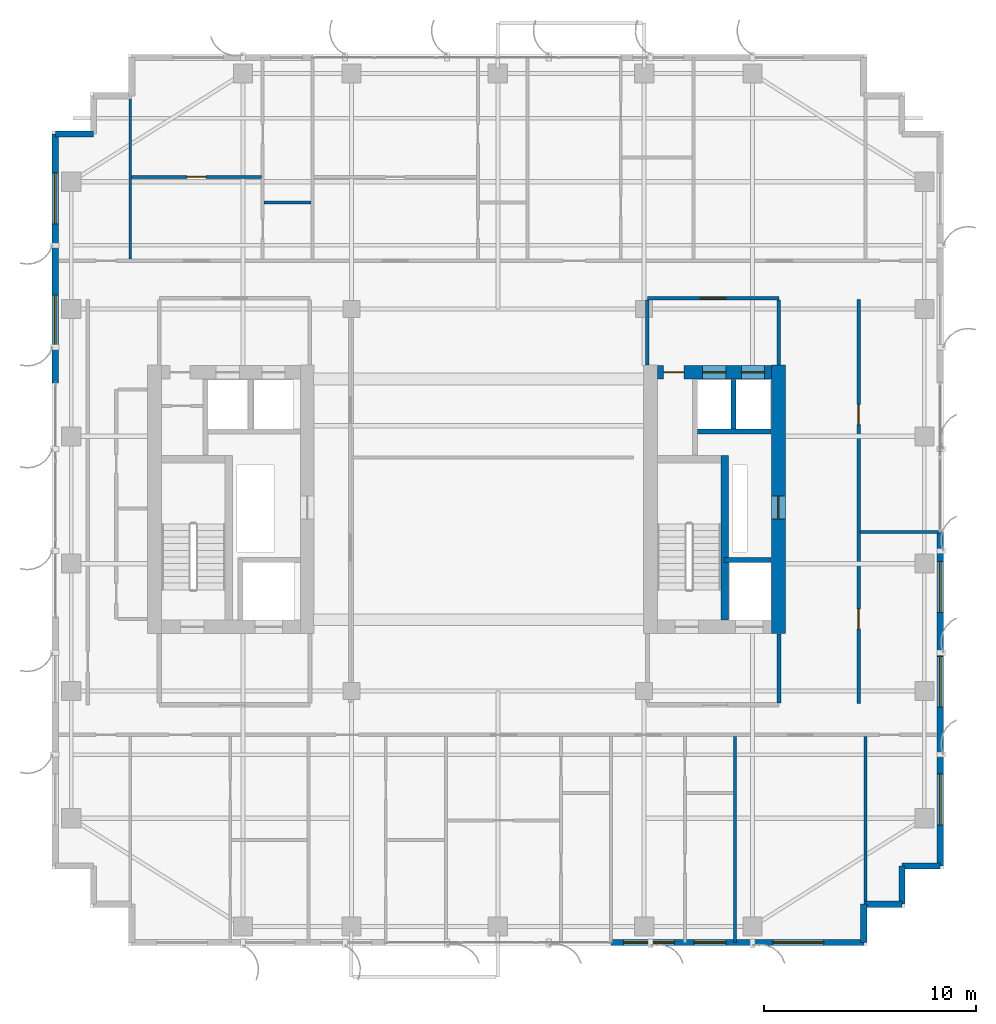
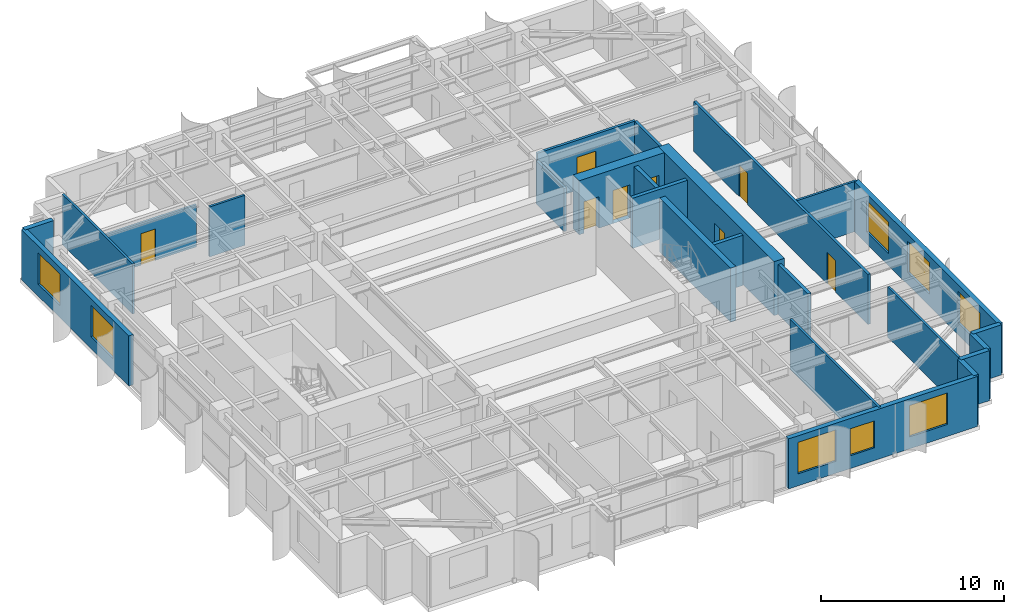
# One storey, part 18 of 23: 25 walls, 8 doors, 8 windows, 16 openings.
"""IFC4 building model written with IfcOpenShell, lengths in metres."""

import ifcopenshell
import ifcopenshell.guid

model = None  # the IFC model being written
_history = None  # IfcOwnerHistory: only IFC2X3 demands one
_inside = {}  # id of a spatial element -> (the spatial element, [elements in it])
_under = {}  # id of a project, library or spatial element -> (it, [spatial elements below it])
_declared = {}  # id of a project -> (the project, [libraries it declares])
_typed = {}  # id of a type object -> (the type object, [elements of that type])
_made_of = {}  # id of a material, layer set ... -> (it, [elements and type objects made of it])


def new_model(schema):
    """Start an empty IFC model of exactly this schema.

    Asked for "IFC4X3", IfcOpenShell would pick the latest addendum, in which some entities
    have other attributes; the version numbers below select the first issue.
    IFC2X3 requires an IfcOwnerHistory on every rooted entity: one is made here for all.
    """
    global model, _history
    if schema == "IFC4X3":
        model = ifcopenshell.file(schema_version=(4, 3, 0, 0))
    else:
        model = ifcopenshell.file(schema=schema)
    _inside.clear()
    _under.clear()
    _declared.clear()
    _typed.clear()
    _made_of.clear()
    _history = None
    if model.schema == "IFC2X3":
        org = make("IfcOrganization", Name="unknown")
        user = make(
            "IfcPersonAndOrganization",
            ThePerson=make("IfcPerson", FamilyName="unknown"),
            TheOrganization=org,
        )
        app = make(
            "IfcApplication",
            ApplicationDeveloper=org,
            Version="unknown",
            ApplicationFullName="unknown",
            ApplicationIdentifier="unknown",
        )
        _history = make(
            "IfcOwnerHistory",
            OwningUser=user,
            OwningApplication=app,
            ChangeAction="ADDED",
            CreationDate=0,
        )
    return model


def make(cls, **values):
    """One entity of the class cls with the attributes given. An attribute that is None is left unset."""
    return model.create_entity(
        cls, **{name: value for name, value in values.items() if value is not None}
    )


def rooted(cls, **values):
    """An entity with a GlobalId (a new one), such as an element, a storey or a relation."""
    return make(cls, GlobalId=ifcopenshell.guid.new(), OwnerHistory=_history, **values)


def si_unit(unit_type, name, prefix=None):
    """IfcSIUnit, for example si_unit("LENGTHUNIT", "METRE", prefix="MILLI")."""
    return make("IfcSIUnit", UnitType=unit_type, Prefix=prefix, Name=name)


def assignment(units):
    """IfcUnitAssignment: the units of a project."""
    return None if units is None else make("IfcUnitAssignment", Units=units)


def point(xyz):
    """IfcCartesianPoint."""
    return None if xyz is None else make("IfcCartesianPoint", Coordinates=xyz)


def direction(xyz):
    """IfcDirection."""
    return None if xyz is None else make("IfcDirection", DirectionRatios=xyz)


def frame(location, z_axis=None, x_axis=None):
    """IfcAxis2Placement3D, a coordinate frame: its origin and axes. An axis left out is left unset."""
    return make(
        "IfcAxis2Placement3D",
        Location=point(location),
        Axis=direction(z_axis),
        RefDirection=direction(x_axis),
    )


def frame_2d(location, x_axis=None):
    """IfcAxis2Placement2D, a coordinate frame in the plane: its origin and x axis."""
    return make(
        "IfcAxis2Placement2D", Location=point(location), RefDirection=direction(x_axis)
    )


def origin():
    """The frame at (0, 0, 0) with its axes left unset."""
    return frame((0.0, 0.0, 0.0))


def place(relative_to, where):
    """IfcLocalPlacement: puts the frame where relative to a parent placement (None: the world)."""
    return make(
        "IfcLocalPlacement", PlacementRelTo=relative_to, RelativePlacement=where
    )


def context(
    kind, dimensions, precision=None, world=None, true_north=None, identifier=None
):
    """IfcGeometricRepresentationContext, for example the 3D "Model" context."""
    return make(
        "IfcGeometricRepresentationContext",
        ContextIdentifier=identifier,
        ContextType=kind,
        CoordinateSpaceDimension=dimensions,
        Precision=precision,
        WorldCoordinateSystem=world,
        TrueNorth=true_north,
    )


def subcontext(parent, identifier, kind, view, scale=None):
    """IfcGeometricRepresentationSubContext, for example "Body" below "Model"."""
    return make(
        "IfcGeometricRepresentationSubContext",
        ContextIdentifier=identifier,
        ContextType=kind,
        ParentContext=parent,
        TargetScale=scale,
        TargetView=view,
    )


def project(units=None, contexts=None):
    """IfcProject with its units and contexts."""
    return rooted(
        "IfcProject",
        Name="project",
        RepresentationContexts=contexts,
        UnitsInContext=assignment(units),
    )


def spatial(cls, under=None, at=None, **own):
    """A site, building, storey or space (cls), placed at a placement, below another one or the project."""
    s = rooted(cls, ObjectPlacement=at, **own)
    if under is not None:
        _under.setdefault(under.id(), (under, []))[1].append(s)
    return s


def profile(cls, at=None, kind="AREA", **sizes):
    """A parametric profile (cls). Its sizes go by their IFC names, for example OverallWidth=200.0."""
    return make(cls, ProfileType=kind, Position=at, **sizes)


def rectangle(**sizes):
    """IfcRectangleProfileDef."""
    return profile("IfcRectangleProfileDef", **sizes)


def extrude(swept, where, along, depth):
    """IfcExtrudedAreaSolid: the profile swept, set in the frame where, extruded along a direction by depth."""
    return make(
        "IfcExtrudedAreaSolid",
        SweptArea=swept,
        Position=where,
        ExtrudedDirection=direction(along),
        Depth=depth,
    )


def shape(context_of_items, identifier, shape_type, items):
    """IfcShapeRepresentation: the items that make up one representation, for example the "Body"."""
    return make(
        "IfcShapeRepresentation",
        ContextOfItems=context_of_items,
        RepresentationIdentifier=identifier,
        RepresentationType=shape_type,
        Items=items,
    )


def source(mapping_origin, context_of_items, identifier, shape_type, items):
    """IfcRepresentationMap: a shape defined once, which mapped items show again and again."""
    return make(
        "IfcRepresentationMap",
        MappingOrigin=mapping_origin,
        MappedRepresentation=shape(context_of_items, identifier, shape_type, items),
    )


def transform(
    local_origin,
    x_axis=None,
    y_axis=None,
    z_axis=None,
    scale=None,
    scale2=None,
    scale3=None,
    uniform=True,
):
    """IfcCartesianTransformationOperator3D, or its non-uniform kind. x_axis, y_axis, z_axis: its Axis1, 2, 3."""
    if uniform:
        return make(
            "IfcCartesianTransformationOperator3D",
            Axis1=direction(x_axis),
            Axis2=direction(y_axis),
            LocalOrigin=point(local_origin),
            Scale=scale,
            Axis3=direction(z_axis),
        )
    return make(
        "IfcCartesianTransformationOperator3DnonUniform",
        Axis1=direction(x_axis),
        Axis2=direction(y_axis),
        LocalOrigin=point(local_origin),
        Scale=scale,
        Axis3=direction(z_axis),
        Scale2=scale2,
        Scale3=scale3,
    )


def mapped(mapping_source, mapping_target):
    """IfcMappedItem: shows the shape of a source again, moved by a transform."""
    return make(
        "IfcMappedItem", MappingSource=mapping_source, MappingTarget=mapping_target
    )


def material(Name=None, Category=None):
    """IfcMaterial."""
    return make("IfcMaterial", Name=Name, Category=Category)


def layer(
    of_material, thickness, ventilated=None, Name=None, Category=None, Priority=None
):
    """IfcMaterialLayer: one layer of a wall or slab, of a material (None: an air gap)."""
    return make(
        "IfcMaterialLayer",
        Material=of_material,
        LayerThickness=thickness,
        IsVentilated=ventilated,
        Name=Name,
        Category=Category,
        Priority=Priority,
    )


def layer_set(layers, Name=None):
    """IfcMaterialLayerSet."""
    return make("IfcMaterialLayerSet", MaterialLayers=layers, LayerSetName=Name)


def made_of(thing, what):
    """Note that an element or type object is made of a material, layer set ...; save() writes the relation."""
    if what is not None:
        _made_of.setdefault(what.id(), (what, []))[1].append(thing)
    return thing


def type_object(cls, material=None, **own):
    """A type object (cls), such as IfcWallType, which elements share."""
    return made_of(rooted(cls, **own), material)


def element(
    cls,
    number,
    at=None,
    inside=None,
    cuts=None,
    type_object=None,
    material=None,
    context=None,
    identifier="Body",
    shape_type=None,
    held_by="IfcProductDefinitionShape",
    body=None,
    shapes=None,
    **own,
):
    """One element of the class cls, such as IfcWall. Its Tag is "e" and its number.

    at: its placement. inside: the storey or other place that contains it. cuts: it is an
    opening in that element (IfcRelVoidsElement). A single representation is given by context,
    identifier, shape_type and body (its items); several are given by shapes. held_by: the class
    of the entity that holds the representations. save() writes the other relations.
    """
    e = rooted(cls, Tag="e%d" % number, ObjectPlacement=at, **own)
    if body is not None:
        shapes = [shape(context, identifier, shape_type, body)]
    if shapes is not None:
        e.Representation = make(held_by, Representations=shapes)
    if inside is not None:
        _inside.setdefault(inside.id(), (inside, []))[1].append(e)
    if cuts is not None:
        rooted(
            "IfcRelVoidsElement", RelatingBuildingElement=cuts, RelatedOpeningElement=e
        )
    if type_object is not None:
        _typed.setdefault(type_object.id(), (type_object, []))[1].append(e)
    return made_of(e, material)


def fill(opening, filler):
    """IfcRelFillsElement: the door or window that sits in an opening."""
    return rooted(
        "IfcRelFillsElement",
        RelatingOpeningElement=opening,
        RelatedBuildingElement=filler,
    )


def aggregate(whole, parts):
    """IfcRelAggregates: a whole, such as a stair, and the parts it consists of."""
    return rooted("IfcRelAggregates", RelatingObject=whole, RelatedObjects=parts)


def save(model, path):
    """Write the relations noted so far, then the file.

    IfcRelAggregates (storeys below a building ...), IfcRelContainedInSpatialStructure (elements
    in a storey), IfcRelDefinesByType, IfcRelAssociatesMaterial and IfcRelDeclares: one each for
    every whole, place, type object, material and project.
    """
    for whole, parts in _under.values():
        aggregate(whole, parts)
    for where, things in _inside.values():
        rooted(
            "IfcRelContainedInSpatialStructure",
            RelatedElements=things,
            RelatingStructure=where,
        )
    for kind, things in _typed.values():
        rooted("IfcRelDefinesByType", RelatedObjects=things, RelatingType=kind)
    for what, things in _made_of.values():
        rooted("IfcRelAssociatesMaterial", RelatedObjects=things, RelatingMaterial=what)
    for by, libraries in _declared.values():
        rooted("IfcRelDeclares", RelatingContext=by, RelatedDefinitions=libraries)
    model.write(path)


model = new_model("IFC4")

# Units and contexts
model_context = context("Model", 3, precision=1e-05, world=origin(), true_north=direction((0.0, 1.0)))
body_context = subcontext(model_context, "Body", "Model", "MODEL_VIEW")
ifc_project = project(units=[si_unit("LENGTHUNIT", "METRE"), si_unit("AREAUNIT", "SQUARE_METRE"), si_unit("VOLUMEUNIT", "CUBIC_METRE"), si_unit("PLANEANGLEUNIT", "RADIAN"), si_unit("MASSUNIT", "GRAM", prefix="KILO")], contexts=[model_context])

# Site, building, storey
site_placement = place(None, origin())
site = spatial("IfcSite", under=ifc_project, at=site_placement, CompositionType="ELEMENT")
building_placement = place(site_placement, origin())
building = spatial("IfcBuilding", under=site, at=building_placement, Name="Khoralis Quay Care Tower", CompositionType="ELEMENT")
storey_placement = place(building_placement, frame((0.0, 0.0, 173.699951171875)))
storey = spatial("IfcBuildingStorey", under=building, at=storey_placement, Name="L45", CompositionType="ELEMENT", Elevation=173.699951171875)

# Wall
ifc_material_1 = material(Name="Gypsum plasterboard on acoustic metal stud")
ifc_layer_1 = layer(ifc_material_1, 0.199951171875)
ifc_layer_set_1 = layer_set([ifc_layer_1], Name="Gypsum plasterboard on acoustic metal stud")
wall_type_1 = type_object("IfcWallType", Name="WL-COMP-200", PredefinedType="PARTITIONING", material=ifc_layer_set_1)
wall_1_placement = place(storey_placement, frame((37.25, 11.445068359375, 0.0), z_axis=(0.0, 0.0, 1.0), x_axis=(0.0, 1.0, 0.0)))
element("IfcWall", 1, at=wall_1_placement, inside=storey, type_object=wall_type_1, Name="L45 East Firefighting Lobby East Wall", PredefinedType="PARTITIONING", context=body_context, shape_type="SweptSolid", body=[
    extrude(rectangle(XDim=3.23486328125, YDim=0.199951171875, at=frame_2d((1.617431640625, 0.0))), origin(), (0.0, 0.0, 1.0), 3.340087890625),
])

# Wall, opening, door
ifc_material_2 = material(Name="Concrete C65/80", Category="concrete")
ifc_layer_2 = layer(ifc_material_2, 0.64990234375)
ifc_layer_set_2 = layer_set([ifc_layer_2], Name="Concrete C65/80")
wall_type_2 = type_object("IfcWallType", Name="WL-CORE-650", PredefinedType="SHEAR", material=ifc_layer_set_2)
wall_2_placement = place(storey_placement, frame((37.22509765625, 14.699951171875, 0.0), z_axis=(0.0, 0.0, 1.0), x_axis=(0.0, 1.0, 0.0)))
wall_2 = element("IfcWall", 2, at=wall_2_placement, inside=storey, type_object=wall_type_2, Name="L45 ECORE East Shear Wall", PredefinedType="SHEAR", context=body_context, shape_type="SweptSolid", body=[
    extrude(rectangle(XDim=12.650146484375, YDim=0.64990234375, at=frame_2d((6.3251953125, 0.0))), origin(), (0.0, 0.0, 1.0), 3.60009765625),
])
opening_1_placement = place(wall_2_placement, frame((5.39990234375, 0.0, 0.0)))
opening_1 = element("IfcOpeningElement", 3, at=opening_1_placement, cuts=wall_2, Name="Opening SD1", PredefinedType="OPENING", context=body_context, shape_type="SweptSolid", body=[
    extrude(rectangle(XDim=1.10009765625, YDim=2.199951171875, at=frame_2d((0.550048828125, 1.10009765625))), frame((0.0, 0.3349609375, 0.0), z_axis=(0.0, -1.0, 0.0), x_axis=(1.0, 0.0, 0.0)), (0.0, 0.0, 1.0), 0.669921875),
])
ifc_material_3 = material(Name="Fire-rated painted steel", Category="steel")
door_type_1 = type_object("IfcDoorType", Name="DR-STAIR-1100X2200", OperationType="NOTDEFINED", PredefinedType="DOOR", material=ifc_material_3)
shared_shape_1 = source(origin(), body_context, "Body", "SweptSolid", [
    extrude(rectangle(XDim=1.10009765625, YDim=2.199951171875, at=frame_2d((0.550048828125, 1.10009765625))), frame((0.0, 0.02490234375, 0.0), z_axis=(0.0, -1.0, 0.0), x_axis=(1.0, 0.0, 0.0)), (0.0, 0.0, 1.0), 0.050048828125),
])
door_1_placement = place(opening_1_placement, frame((1.10009765625, 0.0, 0.0), z_axis=(0.0, 0.0, 1.0), x_axis=(-1.0, 0.0, 0.0)))
door_1 = element("IfcDoor", 4, at=door_1_placement, inside=storey, type_object=door_type_1, Name="L45 East MEP Riser Door", OperationType="SINGLE_SWING_RIGHT", OverallHeight=2.199951171875, OverallWidth=1.10009765625, PredefinedType="DOOR", context=body_context, shape_type="MappedRepresentation", body=[
    mapped(shared_shape_1, transform((0.0, 0.0, 0.0), scale=1.0)),
])
fill(opening_1, door_1)

# Wall, openings, doors
wall_3_placement = place(storey_placement, frame((31.52001953125, 27.02490234375, 0.0), z_axis=(0.0, 0.0, 1.0), x_axis=(1.0, 0.0, 0.0)))
wall_3 = element("IfcWall", 5, at=wall_3_placement, inside=storey, type_object=wall_type_2, Name="L45 ECORE North Shear Wall", PredefinedType="SHEAR", context=body_context, shape_type="SweptSolid", body=[
    extrude(rectangle(XDim=5.3798828125, YDim=0.64990234375, at=frame_2d((2.68994140625, 0.0))), origin(), (0.0, 0.0, 1.0), 3.60009765625),
])
opening_2_placement = place(wall_3_placement, frame((0.300048828125, 0.0, 0.0)))
opening_2 = element("IfcOpeningElement", 6, at=opening_2_placement, cuts=wall_3, Name="Opening ID1", PredefinedType="OPENING", context=body_context, shape_type="SweptSolid", body=[
    extrude(rectangle(XDim=0.949951171875, YDim=2.10009765625, at=frame_2d((0.47509765625, 1.050048828125))), frame((0.0, 0.3349609375, 0.0), z_axis=(0.0, -1.0, 0.0), x_axis=(1.0, 0.0, 0.0)), (0.0, 0.0, 1.0), 0.669921875),
])
opening_3_placement = place(wall_3_placement, frame((2.1298828125, 0.0, 0.0)))
opening_3 = element("IfcOpeningElement", 7, at=opening_3_placement, cuts=wall_3, Name="Opening LD1", PredefinedType="OPENING", context=body_context, shape_type="SweptSolid", body=[
    extrude(rectangle(XDim=1.10009765625, YDim=2.199951171875, at=frame_2d((0.550048828125, 1.10009765625))), frame((0.0, 0.3349609375, 0.0), z_axis=(0.0, -1.0, 0.0), x_axis=(1.0, 0.0, 0.0)), (0.0, 0.0, 1.0), 0.669921875),
])
opening_4_placement = place(wall_3_placement, frame((3.9599609375, 0.0, 0.0)))
opening_4 = element("IfcOpeningElement", 8, at=opening_4_placement, cuts=wall_3, Name="Opening LD1", PredefinedType="OPENING", context=body_context, shape_type="SweptSolid", body=[
    extrude(rectangle(XDim=1.10009765625, YDim=2.199951171875, at=frame_2d((0.550048828125, 1.10009765625))), frame((0.0, 0.3349609375, 0.0), z_axis=(0.0, -1.0, 0.0), x_axis=(1.0, 0.0, 0.0)), (0.0, 0.0, 1.0), 0.669921875),
])
ifc_material_4 = material(Name="Brushed stainless steel", Category="steel")
door_type_2 = type_object("IfcDoorType", Name="DR-LIFT-1100X2200", OperationType="SLIDING_TO_LEFT", PredefinedType="DOOR", material=ifc_material_4)
shared_shape_2 = source(origin(), body_context, "Body", "SweptSolid", [
    extrude(rectangle(XDim=1.10009765625, YDim=2.199951171875, at=frame_2d((0.550048828125, 1.10009765625))), frame((0.0, 0.02490234375, 0.0), z_axis=(0.0, -1.0, 0.0), x_axis=(1.0, 0.0, 0.0)), (0.0, 0.0, 1.0), 0.050048828125),
])
door_2_placement = place(opening_3_placement, origin())
door_2 = element("IfcDoor", 9, at=door_2_placement, inside=storey, type_object=door_type_2, Name="L45 Lift PLM2 Landing Door", OperationType="SLIDING_TO_LEFT", OverallHeight=2.199951171875, OverallWidth=1.10009765625, PredefinedType="DOOR", context=body_context, shape_type="MappedRepresentation", body=[
    mapped(shared_shape_2, transform((0.0, 0.0, 0.0), scale=1.0)),
])
fill(opening_3, door_2)
door_3_placement = place(opening_4_placement, origin())
door_3 = element("IfcDoor", 10, at=door_3_placement, inside=storey, type_object=door_type_2, Name="L45 Lift PLH2 Landing Door", OperationType="SLIDING_TO_LEFT", OverallHeight=2.199951171875, OverallWidth=1.10009765625, PredefinedType="DOOR", context=body_context, shape_type="MappedRepresentation", body=[
    mapped(shared_shape_2, transform((0.0, 0.0, 0.0), scale=1.0)),
])
fill(opening_4, door_3)
ifc_material_5 = material(Name="Acoustic hardwood timber", Category="wood")
door_type_3 = type_object("IfcDoorType", Name="DR-ROOM-950X2100", OperationType="NOTDEFINED", PredefinedType="DOOR", material=ifc_material_5)
shared_shape_3 = source(origin(), body_context, "Body", "SweptSolid", [
    extrude(rectangle(XDim=0.949951171875, YDim=2.10009765625, at=frame_2d((0.47509765625, 1.050048828125))), frame((0.0, 0.02490234375, 0.0), z_axis=(0.0, -1.0, 0.0), x_axis=(1.0, 0.0, 0.0)), (0.0, 0.0, 1.0), 0.050048828125),
])
door_4_placement = place(opening_2_placement, frame((0.949951171875, 0.0, 0.0), z_axis=(0.0, 0.0, 1.0), x_axis=(-1.0, 0.0, 0.0)))
door_4 = element("IfcDoor", 11, at=door_4_placement, inside=storey, type_object=door_type_3, Name="L45 Nutrition Pantry Door", OperationType="SINGLE_SWING_RIGHT", OverallHeight=2.10009765625, OverallWidth=0.949951171875, PredefinedType="DOOR", context=body_context, shape_type="MappedRepresentation", body=[
    mapped(shared_shape_3, transform((0.0, 0.0, 0.0), scale=1.0)),
])
fill(opening_2, door_4)

# Wall, opening, door
ifc_layer_3 = layer(ifc_material_1, 0.1650390625)
ifc_layer_set_3 = layer_set([ifc_layer_3], Name="Gypsum plasterboard on acoustic metal stud")
wall_type_3 = type_object("IfcWallType", Name="WL-CORR-165", PredefinedType="PARTITIONING", material=ifc_layer_set_3)
wall_4_placement = place(storey_placement, frame((31.050048828125, 30.5, 0.0), z_axis=(0.0, 0.0, 1.0), x_axis=(1.0, 0.0, 0.0)))
wall_4 = element("IfcWall", 12, at=wall_4_placement, inside=storey, type_object=wall_type_3, Name="L45 East Lift Lobby North Wall", PredefinedType="PARTITIONING", context=body_context, shape_type="SweptSolid", body=[
    extrude(rectangle(XDim=6.199951171875, YDim=0.1650390625, at=frame_2d((3.10009765625, 0.0))), origin(), (0.0, 0.0, 1.0), 3.340087890625),
])
opening_5_placement = place(wall_4_placement, frame((2.5, 0.0, 0.0)))
opening_5 = element("IfcOpeningElement", 13, at=opening_5_placement, cuts=wall_4, Name="Opening FD1", PredefinedType="OPENING", context=body_context, shape_type="SweptSolid", body=[
    extrude(rectangle(XDim=1.199951171875, YDim=2.199951171875, at=frame_2d((0.60009765625, 1.10009765625))), frame((0.0, 0.092529296875, 0.0), z_axis=(0.0, -1.0, 0.0), x_axis=(1.0, 0.0, 0.0)), (0.0, 0.0, 1.0), 0.18505859375),
])
door_type_4 = type_object("IfcDoorType", Name="DR-FFL-1200X2200", OperationType="NOTDEFINED", PredefinedType="DOOR", material=ifc_material_3)
shared_shape_4 = source(origin(), body_context, "Body", "SweptSolid", [
    extrude(rectangle(XDim=1.199951171875, YDim=2.199951171875, at=frame_2d((0.60009765625, 1.10009765625))), frame((0.0, 0.02490234375, 0.0), z_axis=(0.0, -1.0, 0.0), x_axis=(1.0, 0.0, 0.0)), (0.0, 0.0, 1.0), 0.050048828125),
])
door_5_placement = place(opening_5_placement, origin())
door_5 = element("IfcDoor", 14, at=door_5_placement, inside=storey, type_object=door_type_4, Name="L45 East Lift Lobby Double Door", OperationType="DOUBLE_DOOR_SINGLE_SWING", OverallHeight=2.199951171875, OverallWidth=1.199951171875, PredefinedType="DOOR", context=body_context, shape_type="MappedRepresentation", body=[
    mapped(shared_shape_4, transform((0.0, 0.0, 0.0), scale=1.0)),
])
fill(opening_5, door_5)

# Walls
wall_5_placement = place(storey_placement, frame((31.050048828125, 27.3701171875, 0.0), z_axis=(0.0, 0.0, 1.0), x_axis=(0.0, 1.0, 0.0)))
element("IfcWall", 15, at=wall_5_placement, inside=storey, type_object=wall_type_3, Name="L45 East Lift Lobby West Wall", PredefinedType="PARTITIONING", context=body_context, shape_type="SweptSolid", body=[
    extrude(rectangle(XDim=3.052490234375, YDim=0.1650390625, at=frame_2d((1.5263671875, 0.0))), origin(), (0.0, 0.0, 1.0), 2.876953125),
])
wall_6_placement = place(storey_placement, frame((37.25, 27.3701171875, 0.0), z_axis=(0.0, 0.0, 1.0), x_axis=(0.0, 1.0, 0.0)))
element("IfcWall", 16, at=wall_6_placement, inside=storey, type_object=wall_type_3, Name="L45 East Lift Lobby East Wall", PredefinedType="PARTITIONING", context=body_context, shape_type="SweptSolid", body=[
    extrude(rectangle(XDim=3.052490234375, YDim=0.1650390625, at=frame_2d((1.5263671875, 0.0))), origin(), (0.0, 0.0, 1.0), 3.340087890625),
])

# Wall, openings, doors
wall_7_placement = place(storey_placement, frame((41.0, 11.39990234375, 0.0), z_axis=(0.0, 0.0, 1.0), x_axis=(0.0, 1.0, 0.0)))
wall_7 = element("IfcWall", 17, at=wall_7_placement, inside=storey, type_object=wall_type_3, Name="L45 East Gallery Wall", PredefinedType="PARTITIONING", context=body_context, shape_type="SweptSolid", body=[
    extrude(rectangle(XDim=19.050048828125, YDim=0.1650390625, at=frame_2d((9.52490234375, 0.0))), origin(), (0.0, 0.0, 1.0), 3.340087890625),
])
opening_6_placement = place(wall_7_placement, frame((3.52490234375, 0.0, 0.0)))
opening_6 = element("IfcOpeningElement", 18, at=opening_6_placement, cuts=wall_7, Name="Opening ID1", PredefinedType="OPENING", context=body_context, shape_type="SweptSolid", body=[
    extrude(rectangle(XDim=0.949951171875, YDim=2.10009765625, at=frame_2d((0.47509765625, 1.050048828125))), frame((0.0, 0.092529296875, 0.0), z_axis=(0.0, -1.0, 0.0), x_axis=(1.0, 0.0, 0.0)), (0.0, 0.0, 1.0), 0.18505859375),
])
opening_7_placement = place(wall_7_placement, frame((13.14990234375, 0.0, 0.0)))
opening_7 = element("IfcOpeningElement", 19, at=opening_7_placement, cuts=wall_7, Name="Opening ID1", PredefinedType="OPENING", context=body_context, shape_type="SweptSolid", body=[
    extrude(rectangle(XDim=0.949951171875, YDim=2.10009765625, at=frame_2d((0.47509765625, 1.050048828125))), frame((0.0, 0.092529296875, 0.0), z_axis=(0.0, -1.0, 0.0), x_axis=(1.0, 0.0, 0.0)), (0.0, 0.0, 1.0), 0.18505859375),
])
door_6_placement = place(opening_6_placement, origin())
door_6 = element("IfcDoor", 20, at=door_6_placement, inside=storey, type_object=door_type_3, Name="L45 East Clinic Door", OperationType="SINGLE_SWING_LEFT", OverallHeight=2.10009765625, OverallWidth=0.949951171875, PredefinedType="DOOR", context=body_context, shape_type="MappedRepresentation", body=[
    mapped(shared_shape_3, transform((0.0, 0.0, 0.0), scale=1.0)),
])
fill(opening_6, door_6)
door_7_placement = place(opening_7_placement, origin())
door_7 = element("IfcDoor", 21, at=door_7_placement, inside=storey, type_object=door_type_3, Name="L45 East Lounge Door", OperationType="SINGLE_SWING_RIGHT", OverallHeight=2.10009765625, OverallWidth=0.949951171875, PredefinedType="DOOR", context=body_context, shape_type="MappedRepresentation", body=[
    mapped(shared_shape_3, transform((0.0, 0.0, 0.0), scale=1.0)),
])
fill(opening_7, door_7)

# Wall, openings, windows
ifc_material_6 = material(Name="Precast concrete C45/55", Category="concrete")
ifc_layer_4 = layer(ifc_material_6, 0.300048828125)
ifc_layer_set_4 = layer_set([ifc_layer_4], Name="Precast concrete C45/55")
wall_type_4 = type_object("IfcWallType", Name="WL-EXT-REF-300", PredefinedType="SOLIDWALL", material=ifc_layer_set_4)
wall_8_placement = place(storey_placement, frame((29.330078125, 0.14990234375, 0.0), z_axis=(0.0, 0.0, 1.0), x_axis=(1.0, 0.0, 0.0)))
wall_8 = element("IfcWall", 22, at=wall_8_placement, inside=storey, type_object=wall_type_4, Name="L45 External Facade Wall WL-EXT-L45-P1-E0B", PredefinedType="SOLIDWALL", context=body_context, shape_type="SweptSolid", body=[
    extrude(rectangle(XDim=11.919921875, YDim=0.300048828125, at=frame_2d((5.9599609375, 0.0))), origin(), (0.0, 0.0, 1.0), 3.340087890625),
])
opening_8_placement = place(wall_8_placement, frame((0.594970703125, 0.0, 0.800048828125)))
opening_8 = element("IfcOpeningElement", 23, at=opening_8_placement, cuts=wall_8, Name="Opening W1", PredefinedType="OPENING", context=body_context, shape_type="SweptSolid", body=[
    extrude(rectangle(XDim=2.39990234375, YDim=2.10009765625, at=frame_2d((1.199951171875, 1.050048828125))), frame((0.0, 0.16015625, 0.0), z_axis=(0.0, -1.0, 0.0), x_axis=(1.0, 0.0, 0.0)), (0.0, 0.0, 1.0), 0.320068359375),
])
opening_9_placement = place(wall_8_placement, frame((3.9150390625, 0.0, 0.85009765625)))
opening_9 = element("IfcOpeningElement", 24, at=opening_9_placement, cuts=wall_8, Name="Opening W3", PredefinedType="OPENING", context=body_context, shape_type="SweptSolid", body=[
    extrude(rectangle(XDim=1.5, YDim=1.800048828125, at=frame_2d((0.75, 0.89990234375))), frame((0.0, 0.16015625, 0.0), z_axis=(0.0, -1.0, 0.0), x_axis=(1.0, 0.0, 0.0)), (0.0, 0.0, 1.0), 0.320068359375),
])
opening_10_placement = place(wall_8_placement, frame((7.6298828125, 0.0, 0.800048828125)))
opening_10 = element("IfcOpeningElement", 25, at=opening_10_placement, cuts=wall_8, Name="Opening W1", PredefinedType="OPENING", context=body_context, shape_type="SweptSolid", body=[
    extrude(rectangle(XDim=2.39990234375, YDim=2.10009765625, at=frame_2d((1.199951171875, 1.050048828125))), frame((0.0, 0.16015625, 0.0), z_axis=(0.0, -1.0, 0.0), x_axis=(1.0, 0.0, 0.0)), (0.0, 0.0, 1.0), 0.320068359375),
])
ifc_material_7 = material(Name="Low-E solar-control double glazing", Category="glass")
window_type_1 = type_object("IfcWindowType", Name="WN-CLIN-1500X1800", PartitioningType="SINGLE_PANEL", PredefinedType="WINDOW", material=ifc_material_7)
shared_shape_5 = source(origin(), body_context, "Body", "SweptSolid", [
    extrude(rectangle(XDim=1.5, YDim=1.800048828125, at=frame_2d((0.75, 0.89990234375))), frame((0.0, 0.030029296875, 0.0), z_axis=(0.0, -1.0, 0.0), x_axis=(1.0, 0.0, 0.0)), (0.0, 0.0, 1.0), 0.06005859375),
])
window_1_placement = place(opening_9_placement, origin())
window_1 = element("IfcWindow", 26, at=window_1_placement, inside=storey, type_object=window_type_1, Name="WN-L45-P1-E0B Facade Window 02", OverallHeight=1.800048828125, OverallWidth=1.5, PartitioningType="SINGLE_PANEL", PredefinedType="WINDOW", context=body_context, shape_type="MappedRepresentation", body=[
    mapped(shared_shape_5, transform((0.0, 0.0, 0.0), scale=1.0)),
])
fill(opening_9, window_1)
window_type_2 = type_object("IfcWindowType", Name="WN-POD-2400X2100", PartitioningType="SINGLE_PANEL", PredefinedType="WINDOW", material=ifc_material_7)
shared_shape_6 = source(origin(), body_context, "Body", "SweptSolid", [
    extrude(rectangle(XDim=2.39990234375, YDim=2.10009765625, at=frame_2d((1.199951171875, 1.050048828125))), frame((0.0, 0.030029296875, 0.0), z_axis=(0.0, -1.0, 0.0), x_axis=(1.0, 0.0, 0.0)), (0.0, 0.0, 1.0), 0.06005859375),
])
window_2_placement = place(opening_8_placement, origin())
window_2 = element("IfcWindow", 27, at=window_2_placement, inside=storey, type_object=window_type_2, Name="WN-L45-P1-E0B Facade Window 01", OverallHeight=2.10009765625, OverallWidth=2.39990234375, PartitioningType="SINGLE_PANEL", PredefinedType="WINDOW", context=body_context, shape_type="MappedRepresentation", body=[
    mapped(shared_shape_6, transform((0.0, 0.0, 0.0), scale=1.0)),
])
fill(opening_8, window_2)
window_3_placement = place(opening_10_placement, origin())
window_3 = element("IfcWindow", 28, at=window_3_placement, inside=storey, type_object=window_type_2, Name="WN-L45-P1-E0B Facade Window 03", OverallHeight=2.10009765625, OverallWidth=2.39990234375, PartitioningType="SINGLE_PANEL", PredefinedType="WINDOW", context=body_context, shape_type="MappedRepresentation", body=[
    mapped(shared_shape_6, transform((0.0, 0.0, 0.0), scale=1.0)),
])
fill(opening_10, window_3)

# Walls
for number, where, z_axis, x_axis, name in (
    (29, (41.25, 0.14990234375, 0.0), (0.0, 0.0, 1.0), (0.0, 1.0, 0.0), "L45 External Facade Wall WL-EXT-L45-P1-C1"),
    (30, (41.25, 1.949951171875, 0.0), (0.0, 0.0, 1.0), (1.0, 0.0, 0.0), "L45 External Facade Wall WL-EXT-L45-P1-C2"),
    (31, (43.050048828125, 1.949951171875, 0.0), (0.0, 0.0, 1.0), (0.0, 1.0, 0.0), "L45 External Facade Wall WL-EXT-L45-P1-C3"),
    (32, (43.050048828125, 3.75, 0.0), (0.0, 0.0, 1.0), (1.0, 0.0, 0.0), "L45 External Facade Wall WL-EXT-L45-P1-C4"),
):
    element("IfcWall", number, at=place(storey_placement, frame(where, z_axis=z_axis, x_axis=x_axis)), inside=storey, type_object=wall_type_4, Name=name, PredefinedType="SOLIDWALL", context=body_context, shape_type="SweptSolid", body=[
        extrude(rectangle(XDim=1.800048828125, YDim=0.300048828125, at=frame_2d((0.89990234375, 0.0))), origin(), (0.0, 0.0, 1.0), 3.340087890625),
    ])

# Wall, openings, windows
wall_9_placement = place(storey_placement, frame((44.85009765625, 3.75, 0.0), z_axis=(0.0, 0.0, 1.0), x_axis=(0.0, 1.0, 0.0)))
wall_9 = element("IfcWall", 33, at=wall_9_placement, inside=storey, type_object=wall_type_4, Name="L45 External Facade Wall WL-EXT-L45-P1-E5A", PredefinedType="SOLIDWALL", context=body_context, shape_type="SweptSolid", body=[
    extrude(rectangle(XDim=15.75, YDim=0.300048828125, at=frame_2d((7.875, 0.0))), origin(), (0.0, 0.0, 1.0), 3.340087890625),
])
opening_11_placement = place(wall_9_placement, frame((1.945068359375, 0.0, 0.800048828125)))
opening_11 = element("IfcOpeningElement", 34, at=opening_11_placement, cuts=wall_9, Name="Opening W1", PredefinedType="OPENING", context=body_context, shape_type="SweptSolid", body=[
    extrude(rectangle(XDim=2.39990234375, YDim=2.10009765625, at=frame_2d((1.199951171875, 1.050048828125))), frame((0.0, 0.16015625, 0.0), z_axis=(0.0, -1.0, 0.0), x_axis=(1.0, 0.0, 0.0)), (0.0, 0.0, 1.0), 0.320068359375),
])
opening_12_placement = place(wall_9_placement, frame((7.485107421875, 0.0, 0.800048828125)))
opening_12 = element("IfcOpeningElement", 35, at=opening_12_placement, cuts=wall_9, Name="Opening W1", PredefinedType="OPENING", context=body_context, shape_type="SweptSolid", body=[
    extrude(rectangle(XDim=2.39990234375, YDim=2.10009765625, at=frame_2d((1.199951171875, 1.050048828125))), frame((0.0, 0.16015625, 0.0), z_axis=(0.0, -1.0, 0.0), x_axis=(1.0, 0.0, 0.0)), (0.0, 0.0, 1.0), 0.320068359375),
])
opening_13_placement = place(wall_9_placement, frame((11.955078125, 0.0, 0.800048828125)))
opening_13 = element("IfcOpeningElement", 36, at=opening_13_placement, cuts=wall_9, Name="Opening W1", PredefinedType="OPENING", context=body_context, shape_type="SweptSolid", body=[
    extrude(rectangle(XDim=2.39990234375, YDim=2.10009765625, at=frame_2d((1.199951171875, 1.050048828125))), frame((0.0, 0.16015625, 0.0), z_axis=(0.0, -1.0, 0.0), x_axis=(1.0, 0.0, 0.0)), (0.0, 0.0, 1.0), 0.320068359375),
])
window_4_placement = place(opening_11_placement, origin())
window_4 = element("IfcWindow", 37, at=window_4_placement, inside=storey, type_object=window_type_2, Name="WN-L45-P1-E5A Facade Window 01", OverallHeight=2.10009765625, OverallWidth=2.39990234375, PartitioningType="SINGLE_PANEL", PredefinedType="WINDOW", context=body_context, shape_type="MappedRepresentation", body=[
    mapped(shared_shape_6, transform((0.0, 0.0, 0.0), scale=1.0)),
])
fill(opening_11, window_4)
window_5_placement = place(opening_12_placement, origin())
window_5 = element("IfcWindow", 38, at=window_5_placement, inside=storey, type_object=window_type_2, Name="WN-L45-P1-E5A Facade Window 02", OverallHeight=2.10009765625, OverallWidth=2.39990234375, PartitioningType="SINGLE_PANEL", PredefinedType="WINDOW", context=body_context, shape_type="MappedRepresentation", body=[
    mapped(shared_shape_6, transform((0.0, 0.0, 0.0), scale=1.0)),
])
fill(opening_12, window_5)
window_6_placement = place(opening_13_placement, origin())
window_6 = element("IfcWindow", 39, at=window_6_placement, inside=storey, type_object=window_type_2, Name="WN-L45-P1-E5A Facade Window 03", OverallHeight=2.10009765625, OverallWidth=2.39990234375, PartitioningType="SINGLE_PANEL", PredefinedType="WINDOW", context=body_context, shape_type="MappedRepresentation", body=[
    mapped(shared_shape_6, transform((0.0, 0.0, 0.0), scale=1.0)),
])
fill(opening_13, window_6)

# Wall
wall_10_placement = place(storey_placement, frame((4.949951171875, 38.25, 0.0), z_axis=(0.0, 0.0, 1.0), x_axis=(-1.0, 0.0, 0.0)))
element("IfcWall", 40, at=wall_10_placement, inside=storey, type_object=wall_type_4, Name="L45 External Facade Wall WL-EXT-L45-P1-C14", PredefinedType="SOLIDWALL", context=body_context, shape_type="SweptSolid", body=[
    extrude(rectangle(XDim=1.800048828125, YDim=0.300048828125, at=frame_2d((0.89990234375, 0.0))), origin(), (0.0, 0.0, 1.0), 3.340087890625),
])

# Wall, openings, windows
wall_11_placement = place(storey_placement, frame((3.14990234375, 38.25, 0.0), z_axis=(0.0, 0.0, 1.0), x_axis=(0.0, -1.0, 0.0)))
wall_11 = element("IfcWall", 41, at=wall_11_placement, inside=storey, type_object=wall_type_4, Name="L45 External Facade Wall WL-EXT-L45-P1-E15A", PredefinedType="SOLIDWALL", context=body_context, shape_type="SweptSolid", body=[
    extrude(rectangle(XDim=11.72998046875, YDim=0.300048828125, at=frame_2d((5.864990234375, 0.0))), origin(), (0.0, 0.0, 1.0), 3.340087890625),
])
opening_14_placement = place(wall_11_placement, frame((1.8349609375, 0.0, 0.800048828125)))
opening_14 = element("IfcOpeningElement", 42, at=opening_14_placement, cuts=wall_11, Name="Opening W1", PredefinedType="OPENING", context=body_context, shape_type="SweptSolid", body=[
    extrude(rectangle(XDim=2.39990234375, YDim=2.10009765625, at=frame_2d((1.199951171875, 1.050048828125))), frame((0.0, 0.16015625, 0.0), z_axis=(0.0, -1.0, 0.0), x_axis=(1.0, 0.0, 0.0)), (0.0, 0.0, 1.0), 0.320068359375),
])
opening_15_placement = place(wall_11_placement, frame((7.60009765625, 0.0, 0.800048828125)))
opening_15 = element("IfcOpeningElement", 43, at=opening_15_placement, cuts=wall_11, Name="Opening W1", PredefinedType="OPENING", context=body_context, shape_type="SweptSolid", body=[
    extrude(rectangle(XDim=2.39990234375, YDim=2.10009765625, at=frame_2d((1.199951171875, 1.050048828125))), frame((0.0, 0.16015625, 0.0), z_axis=(0.0, -1.0, 0.0), x_axis=(1.0, 0.0, 0.0)), (0.0, 0.0, 1.0), 0.320068359375),
])
window_7_placement = place(opening_14_placement, origin())
window_7 = element("IfcWindow", 44, at=window_7_placement, inside=storey, type_object=window_type_2, Name="WN-L45-P1-E15A Facade Window 01", OverallHeight=2.10009765625, OverallWidth=2.39990234375, PartitioningType="SINGLE_PANEL", PredefinedType="WINDOW", context=body_context, shape_type="MappedRepresentation", body=[
    mapped(shared_shape_6, transform((0.0, 0.0, 0.0), scale=1.0)),
])
fill(opening_14, window_7)
window_8_placement = place(opening_15_placement, origin())
window_8 = element("IfcWindow", 45, at=window_8_placement, inside=storey, type_object=window_type_2, Name="WN-L45-P1-E15A Facade Window 02", OverallHeight=2.10009765625, OverallWidth=2.39990234375, PartitioningType="SINGLE_PANEL", PredefinedType="WINDOW", context=body_context, shape_type="MappedRepresentation", body=[
    mapped(shared_shape_6, transform((0.0, 0.0, 0.0), scale=1.0)),
])
fill(opening_15, window_8)

# Walls
ifc_material_8 = material(Name="Moisture-resistant gypsum and ceramic tile")
ifc_layer_5 = layer(ifc_material_8, 0.280029296875)
ifc_layer_set_5 = layer_set([ifc_layer_5], Name="Moisture-resistant gypsum and ceramic tile")
wall_type_5 = type_object("IfcWallType", Name="WL-PLUMB-280", PredefinedType="PLUMBINGWALL", material=ifc_layer_set_5)
wall_12_placement = place(storey_placement, frame((12.985107421875, 35.030029296875, 0.0), z_axis=(0.0, 0.0, 1.0), x_axis=(1.0, 0.0, 0.0)))
element("IfcWall", 46, at=wall_12_placement, inside=storey, type_object=wall_type_5, Name="L45 Care Suite 0 En-Suite Wall H", PredefinedType="PLUMBINGWALL", context=body_context, shape_type="SweptSolid", body=[
    extrude(rectangle(XDim=2.219970703125, YDim=0.139892578125, at=frame_2d((1.10986328125, 0.0))), origin(), (0.0, 0.0, 1.0), 3.340087890625),
])
ifc_material_9 = material(Name="Concrete C40/50", Category="concrete")
ifc_layer_6 = layer(ifc_material_9, 0.35009765625)
ifc_layer_set_6 = layer_set([ifc_layer_6], Name="Concrete C40/50")
wall_type_6 = type_object("IfcWallType", Name="WL-SC-CORE-350", PredefinedType="SHEAR", material=ifc_layer_set_6)
wall_13_placement = place(storey_placement, frame((34.695068359375, 15.35009765625, 0.0), z_axis=(0.0, 0.0, 1.0), x_axis=(0.0, 1.0, 0.0)))
element("IfcWall", 47, at=wall_13_placement, inside=storey, type_object=wall_type_6, Name="L45 Stair ST-T2 Shear Baffle Wall East", PredefinedType="SHEAR", context=body_context, shape_type="SweptSolid", body=[
    extrude(rectangle(XDim=7.75, YDim=0.35009765625, at=frame_2d((3.875, 0.0))), origin(), (0.0, 0.0, 1.0), 3.60009765625),
])
ifc_layer_7 = layer(ifc_material_1, 0.239990234375)
ifc_layer_set_7 = layer_set([ifc_layer_7], Name="Gypsum plasterboard on acoustic metal stud")
wall_type_7 = type_object("IfcWallType", Name="WL-SHAFT-240", PredefinedType="PARTITIONING", material=ifc_layer_set_7)
wall_14_placement = place(storey_placement, frame((34.679931640625, 18.169921875, 0.0), z_axis=(0.0, 0.0, 1.0), x_axis=(1.0, 0.0, 0.0)))
element("IfcWall", 48, at=wall_14_placement, inside=storey, type_object=wall_type_7, Name="L45 FFL-2 Shaft Wall North", PredefinedType="PARTITIONING", context=body_context, shape_type="SweptSolid", body=[
    extrude(rectangle(XDim=2.199951171875, YDim=0.239990234375, at=frame_2d((1.10009765625, 0.0))), origin(), (0.0, 0.0, 1.0), 3.340087890625),
])
wall_15_placement = place(storey_placement, frame((33.405029296875, 24.22998046875, 0.0), z_axis=(0.0, 0.0, 1.0), x_axis=(1.0, 0.0, 0.0)))
element("IfcWall", 49, at=wall_15_placement, inside=storey, type_object=wall_type_7, Name="L45 Active Shaft South Wall East", PredefinedType="PARTITIONING", context=body_context, shape_type="SweptSolid", body=[
    extrude(rectangle(XDim=3.474853515625, YDim=0.239990234375, at=frame_2d((1.7373046875, 0.0))), origin(), (0.0, 0.0, 1.0), 3.340087890625),
])
wall_16_placement = place(storey_placement, frame((35.110107421875, 24.344970703125, 0.0), z_axis=(0.0, 0.0, 1.0), x_axis=(0.0, 1.0, 0.0)))
element("IfcWall", 50, at=wall_16_placement, inside=storey, type_object=wall_type_7, Name="L45 East Shaft Divider 2", PredefinedType="PARTITIONING", context=body_context, shape_type="SweptSolid", body=[
    extrude(rectangle(XDim=2.3349609375, YDim=0.239990234375, at=frame_2d((1.16748046875, 0.0))), origin(), (0.0, 0.0, 1.0), 3.340087890625),
])
ifc_layer_8 = layer(ifc_material_1, 0.139892578125)
ifc_layer_set_8 = layer_set([ifc_layer_8], Name="Gypsum plasterboard on acoustic metal stud")
wall_type_8 = type_object("IfcWallType", Name="WL-UNIT-140", PredefinedType="PARTITIONING", material=ifc_layer_set_8)
wall_17_placement = place(storey_placement, frame((41.077392578125, 19.5, 0.0), z_axis=(0.0, 0.0, 1.0), x_axis=(1.0, 0.0, 0.0)))
element("IfcWall", 51, at=wall_17_placement, inside=storey, type_object=wall_type_8, Name="L45 East Mid Split", PredefinedType="PARTITIONING", context=body_context, shape_type="SweptSolid", body=[
    extrude(rectangle(XDim=3.777587890625, YDim=0.139892578125, at=frame_2d((1.888671875, 0.0))), origin(), (0.0, 0.0, 1.0), 3.340087890625),
])
wall_18_placement = place(storey_placement, frame((35.169921875, 0.14501953125, 0.0), z_axis=(0.0, 0.0, 1.0), x_axis=(0.0, 1.0, 0.0)))
element("IfcWall", 52, at=wall_18_placement, inside=storey, type_object=wall_type_8, Name="L45 SB Demising Wall 4", PredefinedType="PARTITIONING", context=body_context, shape_type="SweptSolid", body=[
    extrude(rectangle(XDim=9.717529296875, YDim=0.139892578125, at=frame_2d((4.85888671875, 0.0))), origin(), (0.0, 0.0, 1.0), 3.340087890625),
])
wall_19_placement = place(storey_placement, frame((41.320068359375, 1.945068359375, 0.0), z_axis=(0.0, 0.0, 1.0), x_axis=(0.0, 1.0, 0.0)))
element("IfcWall", 53, at=wall_19_placement, inside=storey, type_object=wall_type_8, Name="L45 SB Demising Wall 5", PredefinedType="PARTITIONING", context=body_context, shape_type="SweptSolid", body=[
    extrude(rectangle(XDim=7.91748046875, YDim=0.139892578125, at=frame_2d((3.958740234375, 0.0))), origin(), (0.0, 0.0, 1.0), 3.340087890625),
])
wall_20_placement = place(storey_placement, frame((6.679931640625, 32.357421875, 0.0), z_axis=(0.0, 0.0, 1.0), x_axis=(0.0, 1.0, 0.0)))
element("IfcWall", 54, at=wall_20_placement, inside=storey, type_object=wall_type_8, Name="L45 NB Demising Wall 0", PredefinedType="PARTITIONING", context=body_context, shape_type="SweptSolid", body=[
    extrude(rectangle(XDim=7.697509765625, YDim=0.139892578125, at=frame_2d((3.8486328125, 0.0))), origin(), (0.0, 0.0, 1.0), 3.340087890625),
])

# Wall, opening, door
wall_21_placement = place(storey_placement, frame((6.7451171875, 36.22998046875, 0.0), z_axis=(0.0, 0.0, 1.0), x_axis=(1.0, 0.0, 0.0)))
wall_21 = element("IfcWall", 55, at=wall_21_placement, inside=storey, type_object=wall_type_8, Name="Skilled Care Bedroom L45-NB0 Sub-Partition", PredefinedType="PARTITIONING", context=body_context, shape_type="SweptSolid", body=[
    extrude(rectangle(XDim=6.10986328125, YDim=0.139892578125, at=frame_2d((3.054931640625, 0.0))), origin(), (0.0, 0.0, 1.0), 2.80712890625),
])
opening_16_placement = place(wall_21_placement, frame((2.60498046875, 0.0, 0.0)))
opening_16 = element("IfcOpeningElement", 56, at=opening_16_placement, cuts=wall_21, Name="Opening WD1", PredefinedType="OPENING", context=body_context, shape_type="SweptSolid", body=[
    extrude(rectangle(XDim=0.89990234375, YDim=2.10009765625, at=frame_2d((0.449951171875, 1.050048828125))), frame((0.0, 0.080078125, 0.0), z_axis=(0.0, -1.0, 0.0), x_axis=(1.0, 0.0, 0.0)), (0.0, 0.0, 1.0), 0.159912109375),
])
door_type_5 = type_object("IfcDoorType", Name="DR-BATH-900X2100", OperationType="NOTDEFINED", PredefinedType="DOOR", material=ifc_material_5)
shared_shape_7 = source(origin(), body_context, "Body", "SweptSolid", [
    extrude(rectangle(XDim=0.89990234375, YDim=2.10009765625, at=frame_2d((0.449951171875, 1.050048828125))), frame((0.0, 0.02490234375, 0.0), z_axis=(0.0, -1.0, 0.0), x_axis=(1.0, 0.0, 0.0)), (0.0, 0.0, 1.0), 0.050048828125),
])
door_8_placement = place(opening_16_placement, frame((0.89990234375, 0.0, 0.0), z_axis=(0.0, 0.0, 1.0), x_axis=(-1.0, 0.0, 0.0)))
door_8 = element("IfcDoor", 57, at=door_8_placement, inside=storey, type_object=door_type_5, Name="Private Study & Reading Alcove ARE0 Door", OperationType="SINGLE_SWING_LEFT", OverallHeight=2.10009765625, OverallWidth=0.89990234375, PredefinedType="DOOR", context=body_context, shape_type="MappedRepresentation", body=[
    mapped(shared_shape_7, transform((0.0, 0.0, 0.0), scale=1.0)),
])
fill(opening_16, door_8)

save(model, "model.ifc")
